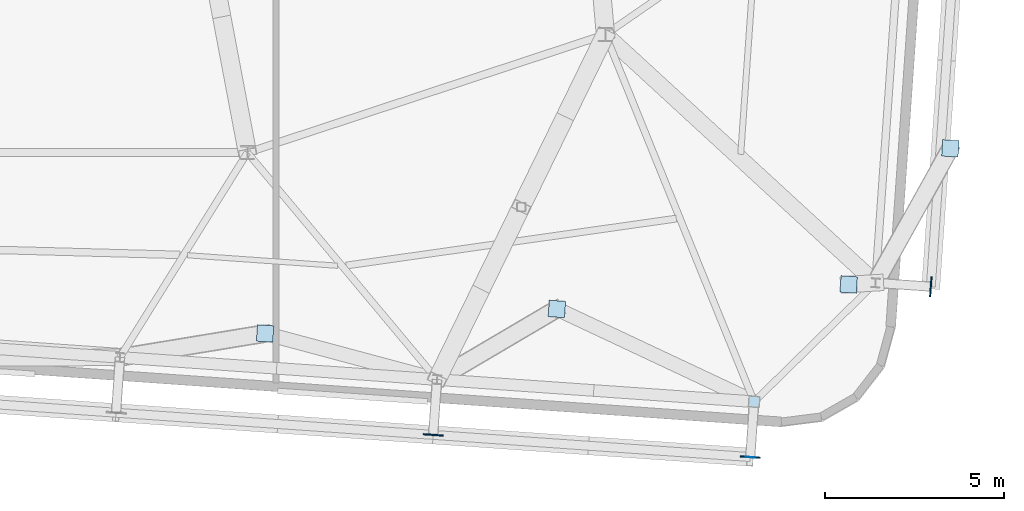
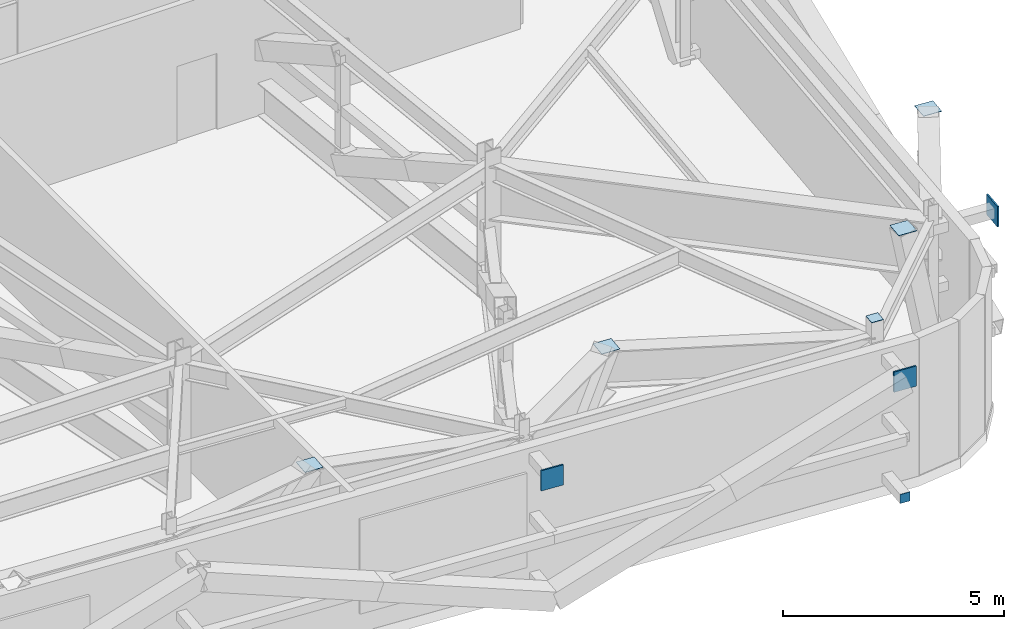
# One storey, part 16 of 24: 9 plates.
"""IFC4 building model written with IfcOpenShell, lengths in metres."""

from ifc_helpers import new_model, si_unit, direction, frame, origin, origin_2d, place, context, subcontext, project, spatial, rectangle, extrude, source, transform, mapped, material, layer, layer_set, type_object, element, save


model = new_model("IFC4")

# Units and contexts
model_context = context("Model", 3, precision=1e-05, world=origin(), true_north=direction((0.0, 1.0)))
body_context = subcontext(model_context, "Body", "Model", "MODEL_VIEW")
ifc_project = project(units=[si_unit("LENGTHUNIT", "METRE"), si_unit("AREAUNIT", "SQUARE_METRE"), si_unit("VOLUMEUNIT", "CUBIC_METRE"), si_unit("PLANEANGLEUNIT", "RADIAN"), si_unit("MASSUNIT", "GRAM", prefix="KILO")], contexts=[model_context])

# Site, building, storey
site_placement = place(None, origin())
site = spatial("IfcSite", under=ifc_project, at=site_placement, CompositionType="ELEMENT")
building_placement = place(site_placement, origin())
building = spatial("IfcBuilding", under=site, at=building_placement, Name="Taldren Reach Tower", CompositionType="ELEMENT")
storey_placement = place(building_placement, frame((0.0, 0.0, 164.5)))
storey = spatial("IfcBuildingStorey", under=building, at=storey_placement, Name="L50", CompositionType="ELEMENT", Elevation=164.5)

# Plates
ifc_material_1 = material(Name="Steel Gr 450 (C450L0)", Category="steel")
ifc_layer_1 = layer(ifc_material_1, 0.0400390625)
ifc_layer_set_1 = layer_set([ifc_layer_1], Name="Steel Gr 450 (C450L0)")
plate_type_1 = type_object("IfcPlateType", Name="PL-GUSSET-40", PredefinedType="SHEET", material=ifc_layer_set_1)
shared_shape_1 = source(origin(), body_context, "Body", "SweptSolid", [
    extrude(rectangle(XDim=0.56005859375, YDim=0.0400390625, at=origin_2d()), origin(), (0.0, 0.0, 1.0), 0.56005859375),
])
for number, where, z_axis, x_axis, name in (
    (1, (47.18896484375, 1.314453125, 3.219970703125), (0.0, 0.0, 1.0), (0.99756405026, -0.069756473744, 0.0), "Exoskeleton star-node gusset plate B3-S5 L50"),
    (2, (56.04736328125, 0.695068359375, 3.219970703125), (0.0, 0.0, 1.0), (0.99756405026, -0.069756473744, 0.0), "Exoskeleton star-node gusset plate B3-S6 L50"),
    (3, (61.091552734375, 5.454833984375, 3.219970703125), (0.0, 0.0, 1.0), (0.069756473744, 0.99756405026, 0.0), "Exoskeleton star-node gusset plate B3-E1 L50"),
):
    element("IfcPlate", number, at=place(storey_placement, frame(where, z_axis=z_axis, x_axis=x_axis)), inside=storey, type_object=plate_type_1, Name=name, PredefinedType="SHEET", context=body_context, shape_type="MappedRepresentation", body=[
        mapped(shared_shape_1, transform((0.0, 0.0, 0.0), scale=1.0)),
    ])
ifc_material_2 = material(Name="Steel Gr 350 (C350L0)", Category="steel")
ifc_layer_2 = layer(ifc_material_2, 0.011962890625)
ifc_layer_set_2 = layer_set([ifc_layer_2], Name="Steel Gr 350 (C350L0)")
plate_type_2 = type_object("IfcPlateType", Name="PL-CAP-250", PredefinedType="SHEET", material=ifc_layer_set_2)
shared_shape_2 = source(origin(), body_context, "Body", "SweptSolid", [
    extrude(rectangle(XDim=0.25, YDim=0.011962890625, at=origin_2d()), origin(), (0.0, 0.0, 1.0), 0.25),
])
plate_1_placement = place(storey_placement, frame((56.046875, 0.68896484375, 0.094970703125), z_axis=(0.0, 0.0, 1.0), x_axis=(0.99756405026, -0.069756473744, 0.0)))
element("IfcPlate", 4, at=plate_1_placement, inside=storey, type_object=plate_type_2, Name="Tie strut end cap plate B3-S6 L50", PredefinedType="SHEET", context=body_context, shape_type="MappedRepresentation", body=[
    mapped(shared_shape_2, transform((0.0, 0.0, 0.0), scale=1.0)),
])
ifc_layer_3 = layer(ifc_material_1, 0.011962890625)
ifc_layer_set_3 = layer_set([ifc_layer_3], Name="Steel Gr 450 (C450L0)")
plate_type_3 = type_object("IfcPlateType", Name="PL-CAP-460", PredefinedType="SHEET", material=ifc_layer_set_3)
shared_shape_3 = source(origin(), body_context, "Body", "SweptSolid", [
    extrude(rectangle(XDim=0.4599609375, YDim=0.4599609375, at=origin_2d()), origin(), (0.0, 0.0, 1.0), 0.011962890625),
])
for number, where, z_axis, x_axis, name in (
    (5, (42.49365234375, 4.1474609375, 3.76806640625), (0.0, 0.0, 1.0), (0.99756405026, -0.069756473744, 0.0), "Transfer strut end cap plate TS-B4-S4 L50"),
    (6, (50.644775390625, 4.83203125, 3.76806640625), (0.0, 0.0, 1.0), (0.99756405026, -0.069756473744, 0.0), "Transfer strut end cap plate TS-B4-S5 L50"),
    (7, (58.796142578125, 5.516357421875, 3.76806640625), (0.0, 0.0, 1.0), (0.99756405026, -0.069756473744, 0.0), "Transfer strut end cap plate TS-B4-S6 L50"),
    (8, (61.63818359375, 9.317626953125, 3.76806640625), (0.0, 0.0, 1.0), (0.99756405026, -0.069756473744, 0.0), "Transfer strut end cap plate TS-B4-E1 L50"),
):
    element("IfcPlate", number, at=place(storey_placement, frame(where, z_axis=z_axis, x_axis=x_axis)), inside=storey, type_object=plate_type_3, Name=name, PredefinedType="SHEET", context=body_context, shape_type="MappedRepresentation", body=[
        mapped(shared_shape_3, transform((0.0, 0.0, 0.0), scale=1.0)),
    ])
ifc_layer_4 = layer(ifc_material_1, 0.011962890625)
ifc_layer_set_4 = layer_set([ifc_layer_4], Name="Steel Gr 450 (C450L0)")
plate_type_4 = type_object("IfcPlateType", Name="PL-CAP-300", PredefinedType="SHEET", material=ifc_layer_set_4)
shared_shape_4 = source(origin(), body_context, "Body", "SweptSolid", [
    extrude(rectangle(XDim=0.300048828125, YDim=0.300048828125, at=origin_2d()), origin(), (0.0, 0.0, 1.0), 0.011962890625),
])
plate_2_placement = place(storey_placement, frame((56.155517578125, 2.2412109375, 4.2001953125), z_axis=(0.0, 0.0, 1.0), x_axis=(0.99756405026, -0.069756473744, 0.0)))
element("IfcPlate", 9, at=plate_2_placement, inside=storey, type_object=plate_type_4, Name="Perimeter column end cap plate B3-S6 L50", PredefinedType="SHEET", context=body_context, shape_type="MappedRepresentation", body=[
    mapped(shared_shape_4, transform((0.0, 0.0, 0.0), scale=1.0)),
])

save(model, "model.ifc")
